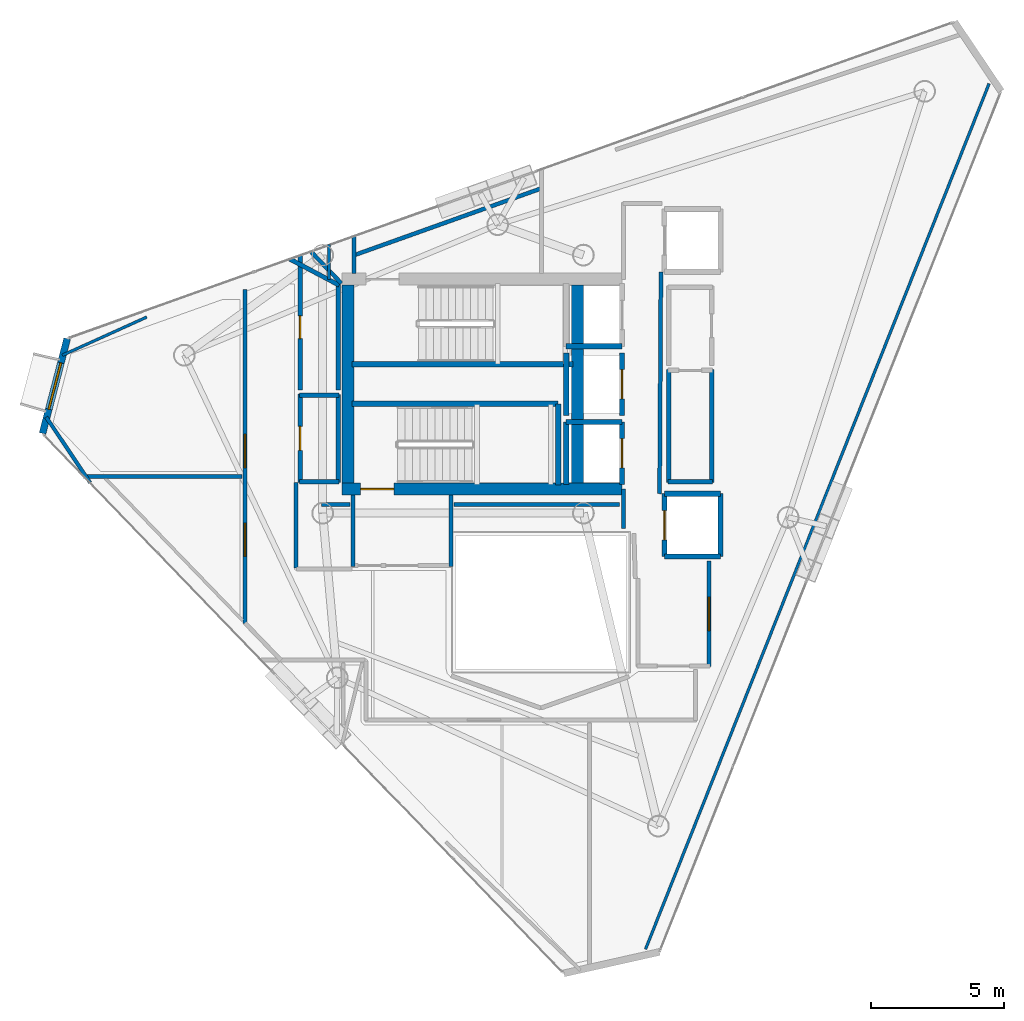
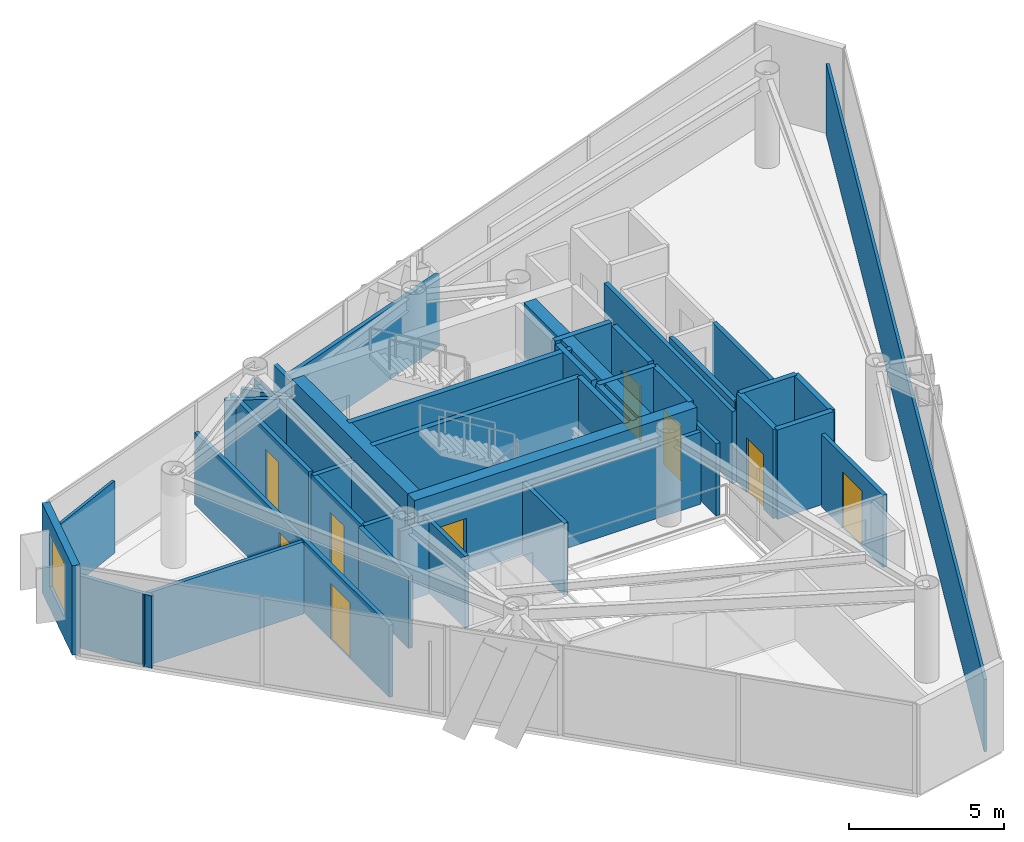
# One storey, part 16 of 18: 44 walls, 9 doors, 1 window, 10 openings.
"""IFC4 building model written with IfcOpenShell, lengths in metres."""

from ifc_helpers import new_model, si_unit, direction, frame, frame_2d, origin, place, context, subcontext, project, spatial, rectangle, extrude, material, layer, layer_set, type_object, element, fill, save


model = new_model("IFC4")

# Units and contexts
model_context = context("Model", 3, precision=1e-05, world=origin(), true_north=direction((0.0, 1.0)))
body_context = subcontext(model_context, "Body", "Model", "MODEL_VIEW")
ifc_project = project(units=[si_unit("LENGTHUNIT", "METRE"), si_unit("AREAUNIT", "SQUARE_METRE"), si_unit("VOLUMEUNIT", "CUBIC_METRE"), si_unit("PLANEANGLEUNIT", "RADIAN"), si_unit("MASSUNIT", "GRAM", prefix="KILO")], contexts=[model_context])

# Site, building, storey
site_placement = place(None, origin())
site = spatial("IfcSite", under=ifc_project, at=site_placement, CompositionType="ELEMENT")
building_placement = place(site_placement, origin())
building = spatial("IfcBuilding", under=site, at=building_placement, Name="Qianvela Tower", CompositionType="ELEMENT")
storey_placement = place(building_placement, frame((0.0, 0.0, 337.0)))
storey = spatial("IfcBuildingStorey", under=building, at=storey_placement, Name="L87", CompositionType="ELEMENT", Elevation=337.0)

# Wall, opening, window
ifc_material_1 = material(Name="Terracotta Cladding on Concrete C40", Category="masonry")
ifc_layer_1 = layer(ifc_material_1, 0.260009765625)
ifc_layer_set_1 = layer_set([ifc_layer_1], Name="Terracotta Cladding on Concrete C40")
wall_type_1 = type_object("IfcWallType", Name="TERRACOTTA-WALL-260", PredefinedType="SOLIDWALL", material=ifc_layer_set_1)
wall_1_placement = place(storey_placement, frame((18.997314453125, 30.40869140625, 0.0), z_axis=(0.0, 0.0, 1.0), x_axis=(-0.252262578272, -0.967658819835, 0.0)))
wall_1 = element("IfcWall", 1, at=wall_1_placement, inside=storey, type_object=wall_type_1, Name="L87 Terracotta Chamfer Facet Wall 3", PredefinedType="SOLIDWALL", context=body_context, shape_type="SweptSolid", body=[
    extrude(rectangle(XDim=3.6806640625, YDim=0.260009765625, at=frame_2d((1.84033203125, 0.0))), origin(), (0.0, 0.0, 1.0), 3.52001953125),
])
opening_1_placement = place(wall_1_placement, frame((0.940185546875, 0.0, 0.85009765625)))
opening_1 = element("IfcOpeningElement", 2, at=opening_1_placement, cuts=wall_1, Name="Opening W-01", PredefinedType="OPENING", context=body_context, shape_type="SweptSolid", body=[
    extrude(rectangle(XDim=1.800048828125, YDim=2.10009765625, at=frame_2d((0.89990234375, 1.050048828125))), frame((0.0, 0.139892578125, 0.0), z_axis=(0.0, -1.0, 0.0), x_axis=(1.0, 0.0, 0.0)), (0.0, 0.0, 1.0), 0.280029296875),
])
ifc_material_2 = material(Name="Thermally Broken Aluminium and Low-E Glass", Category="aluminium")
window_type = type_object("IfcWindowType", Name="WIN-TC-1800x2100", PartitioningType="DOUBLE_PANEL_VERTICAL", PredefinedType="WINDOW", material=ifc_material_2)
window_placement = place(opening_1_placement, origin())
window = element("IfcWindow", 3, at=window_placement, inside=storey, type_object=window_type, Name="L87 Chamfer Facet Window 3.1", OverallHeight=2.10009765625, OverallWidth=1.800048828125, PartitioningType="SINGLE_PANEL", PredefinedType="WINDOW", context=body_context, shape_type="SweptSolid", body=[
    extrude(rectangle(XDim=1.800048828125, YDim=2.10009765625, at=frame_2d((0.89990234375, 1.050048828125))), frame((0.0, 0.030029296875, 0.0), z_axis=(0.0, -1.0, 0.0), x_axis=(1.0, 0.0, 0.0)), (0.0, 0.0, 1.0), 0.06005859375),
])
fill(opening_1, window)

# Wall, opening, door
ifc_material_3 = material(Name="Concrete C50", Category="concrete")
ifc_layer_2 = layer(ifc_material_3, 0.449951171875)
ifc_layer_set_2 = layer_set([ifc_layer_2], Name="Concrete C50")
wall_type_2 = type_object("IfcWallType", Name="WT-CORE-450", PredefinedType="SHEAR", material=ifc_layer_set_2)
wall_2_placement = place(storey_placement, frame((29.330078125, 24.7548828125, 0.0), z_axis=(0.0, 0.0, 1.0), x_axis=(1.0, 0.0, 0.0)))
wall_2 = element("IfcWall", 4, at=wall_2_placement, inside=storey, type_object=wall_type_2, Name="L87 South Core Shear Wall", PredefinedType="SHEAR", context=body_context, shape_type="SweptSolid", body=[
    extrude(rectangle(XDim=10.52001953125, YDim=0.449951171875, at=frame_2d((5.260009765625, 0.0))), origin(), (0.0, 0.0, 1.0), 3.52001953125),
])
opening_2_placement = place(wall_2_placement, frame((0.695068359375, 0.0, 0.0)))
opening_2 = element("IfcOpeningElement", 5, at=opening_2_placement, cuts=wall_2, Name="Opening D-ST1", PredefinedType="OPENING", context=body_context, shape_type="SweptSolid", body=[
    extrude(rectangle(XDim=1.25, YDim=2.14990234375, at=frame_2d((0.625, 1.074951171875))), frame((0.0, 0.23486328125, 0.0), z_axis=(0.0, -1.0, 0.0), x_axis=(1.0, 0.0, 0.0)), (0.0, 0.0, 1.0), 0.469970703125),
])
ifc_material_4 = material(Name="Galvanised Fire Steel Q355B", Category="steel")
door_type_1 = type_object("IfcDoorType", Name="DT-STAIR-FD90", OperationType="NOTDEFINED", PredefinedType="DOOR", material=ifc_material_4)
door_1_placement = place(opening_2_placement, origin())
door_1 = element("IfcDoor", 6, at=door_1_placement, inside=storey, type_object=door_type_1, Name="L87 Stair ST-2 Exit Door", OperationType="SINGLE_SWING_LEFT", OverallHeight=2.14990234375, OverallWidth=1.25, PredefinedType="DOOR", context=body_context, shape_type="SweptSolid", body=[
    extrude(rectangle(XDim=1.25, YDim=2.14990234375, at=frame_2d((0.625, 1.074951171875))), frame((0.0, 0.02490234375, 0.0), z_axis=(0.0, -1.0, 0.0), x_axis=(1.0, 0.0, 0.0)), (0.0, 0.0, 1.0), 0.050048828125),
])
fill(opening_2, door_1)

# Walls
for number, where, z_axis, x_axis, name in (
    (7, (29.554931640625, 24.97998046875, 0.0), (0.0, 0.0, 1.0), (0.0, 1.0, 0.0), "L87 West Core Shear Wall"),
    (8, (38.179931640625, 24.97998046875, 0.0), (0.0, 0.0, 1.0), (0.0, 1.0, 0.0), "L87 East Spine Core Shear Wall"),
):
    element("IfcWall", number, at=place(storey_placement, frame(where, z_axis=z_axis, x_axis=x_axis)), inside=storey, type_object=wall_type_2, Name=name, PredefinedType="SHEAR", context=body_context, shape_type="SweptSolid", body=[
        extrude(rectangle(XDim=7.43994140625, YDim=0.449951171875, at=frame_2d((3.719970703125, 0.0))), origin(), (0.0, 0.0, 1.0), 3.52001953125),
    ])
ifc_material_5 = material(Name="Fire-Rated Acoustic Gypsum Board")
ifc_layer_3 = layer(ifc_material_5, 0.14990234375)
ifc_layer_set_3 = layer_set([ifc_layer_3], Name="Fire-Rated Acoustic Gypsum Board")
wall_type_3 = type_object("IfcWallType", Name="WT-CORR-150", PredefinedType="PARTITIONING", material=ifc_layer_set_3)
wall_3_placement = place(storey_placement, frame((29.760498046875, 33.538818359375, 0.0), z_axis=(0.0, 0.0, 1.0), x_axis=(0.941783667596, 0.336219457274, 0.0)))
element("IfcWall", 9, at=wall_3_placement, inside=storey, type_object=wall_type_3, Name="L87 Partition 1", PredefinedType="PARTITIONING", context=body_context, shape_type="SweptSolid", body=[
    extrude(rectangle(XDim=7.538818359375, YDim=0.14990234375, at=frame_2d((3.76953125, 0.0))), origin(), (0.0, 0.0, 1.0), 2.840087890625),
])
wall_4_placement = place(storey_placement, frame((29.781005859375, 32.85791015625, 0.0), z_axis=(0.0, 0.0, 1.0), x_axis=(0.0, 1.0, 0.0)))
element("IfcWall", 10, at=wall_4_placement, inside=storey, type_object=wall_type_3, Name="L87 Partition 4", PredefinedType="PARTITIONING", context=body_context, shape_type="SweptSolid", body=[
    extrude(rectangle(XDim=1.420654296875, YDim=0.14990234375, at=frame_2d((0.71044921875, 0.0))), origin(), (0.0, 0.0, 1.0), 2.840087890625),
])
for number, where, z_axis, x_axis, name in (
    (11, (29.73095703125, 21.85009765625, 0.0), (0.0, 0.0, 1.0), (0.0, 1.0, 0.0), "L87 Partition 6"),
    (12, (33.4189453125, 24.5419921875, 0.0), (0.0, 0.0, 1.0), (0.0, -1.0, 0.0), "L87 Partition 8"),
):
    element("IfcWall", number, at=place(storey_placement, frame(where, z_axis=z_axis, x_axis=x_axis)), inside=storey, type_object=wall_type_3, Name=name, PredefinedType="PARTITIONING", context=body_context, shape_type="SweptSolid", body=[
        extrude(rectangle(XDim=2.69189453125, YDim=0.14990234375, at=frame_2d((1.345947265625, 0.0))), origin(), (0.0, 0.0, 1.0), 2.840087890625),
    ])
wall_5_placement = place(storey_placement, frame((39.910888671875, 23.280029296875, 0.0), z_axis=(0.0, 0.0, 1.0), x_axis=(0.0, 1.0, 0.0)))
element("IfcWall", 13, at=wall_5_placement, inside=storey, type_object=wall_type_3, Name="L87 Partition 10", PredefinedType="PARTITIONING", context=body_context, shape_type="SweptSolid", body=[
    extrude(rectangle(XDim=1.47998046875, YDim=0.14990234375, at=frame_2d((0.739990234375, 0.0))), origin(), (0.0, 0.0, 1.0), 2.840087890625),
])
wall_6_placement = place(storey_placement, frame((41.3134765625, 32.919921875, 0.0), z_axis=(0.0, 0.0, 1.0), x_axis=(-0.005942518022, -0.999982343084, 0.0)))
element("IfcWall", 14, at=wall_6_placement, inside=storey, type_object=wall_type_3, Name="L87 Partition 14 seg 2", PredefinedType="PARTITIONING", context=body_context, shape_type="SweptSolid", body=[
    extrude(rectangle(XDim=8.340087890625, YDim=0.14990234375, at=frame_2d((4.169921875, 0.0))), origin(), (0.0, 0.0, 1.0), 2.840087890625),
])

# Wall, opening, door
wall_7_placement = place(storey_placement, frame((43.118896484375, 22.050048828125, 0.0), z_axis=(0.0, 0.0, 1.0), x_axis=(0.0, -1.0, 0.0)))
wall_7 = element("IfcWall", 15, at=wall_7_placement, inside=storey, type_object=wall_type_3, Name="L87 Partition 16", PredefinedType="PARTITIONING", context=body_context, shape_type="SweptSolid", body=[
    extrude(rectangle(XDim=3.969970703125, YDim=0.14990234375, at=frame_2d((1.98486328125, 0.0))), origin(), (0.0, 0.0, 1.0), 2.840087890625),
])
opening_3_placement = place(wall_7_placement, frame((1.360107421875, 0.0, 0.0)))
opening_3 = element("IfcOpeningElement", 16, at=opening_3_placement, cuts=wall_7, Name="Opening D-LG1", PredefinedType="OPENING", context=body_context, shape_type="SweptSolid", body=[
    extrude(rectangle(XDim=1.25, YDim=2.199951171875, at=frame_2d((0.625, 1.10009765625))), frame((0.0, 0.0849609375, 0.0), z_axis=(0.0, -1.0, 0.0), x_axis=(1.0, 0.0, 0.0)), (0.0, 0.0, 1.0), 0.169921875),
])
ifc_material_6 = material(Name="Anodised Aluminium Acoustic Glass Door", Category="aluminium")
door_type_2 = type_object("IfcDoorType", Name="DT-LOUNGE-1250", OperationType="NOTDEFINED", PredefinedType="DOOR", material=ifc_material_6)
door_2_placement = place(opening_3_placement, origin())
door_2 = element("IfcDoor", 17, at=door_2_placement, inside=storey, type_object=door_type_2, Name="L87 Door Student Fitness Gym L87-03 to L87 Lift Lobby", OperationType="SINGLE_SWING_RIGHT", OverallHeight=2.199951171875, OverallWidth=1.25, PredefinedType="DOOR", context=body_context, shape_type="SweptSolid", body=[
    extrude(rectangle(XDim=1.25, YDim=2.199951171875, at=frame_2d((0.625, 1.10009765625))), frame((0.0, 0.02490234375, 0.0), z_axis=(0.0, -1.0, 0.0), x_axis=(1.0, 0.0, 0.0)), (0.0, 0.0, 1.0), 0.050048828125),
])
fill(opening_3, door_2)

# Walls
wall_8_placement = place(storey_placement, frame((29.6201171875, 24.180908203125, 0.0), z_axis=(0.0, 0.0, 1.0), x_axis=(-1.0, 0.0, 0.0)))
element("IfcWall", 18, at=wall_8_placement, inside=storey, type_object=wall_type_3, Name="L87 Partition 40", PredefinedType="PARTITIONING", context=body_context, shape_type="SweptSolid", body=[
    extrude(rectangle(XDim=1.070068359375, YDim=0.14990234375, at=frame_2d((0.53515625, 0.0))), origin(), (0.0, 0.0, 1.0), 2.840087890625),
])
wall_9_placement = place(storey_placement, frame((29.303466796875, 32.488525390625, 0.0), z_axis=(0.0, 0.0, 1.0), x_axis=(-0.691860390613, 0.722031301192, 0.0)))
element("IfcWall", 19, at=wall_9_placement, inside=storey, type_object=wall_type_3, Name="L87 Partition 44", PredefinedType="PARTITIONING", context=body_context, shape_type="SweptSolid", body=[
    extrude(rectangle(XDim=1.650634765625, YDim=0.14990234375, at=frame_2d((0.8251953125, 0.0))), origin(), (0.0, 0.0, 1.0), 2.840087890625),
])
wall_10_placement = place(storey_placement, frame((39.75, 24.180908203125, 0.0), z_axis=(0.0, 0.0, 1.0), x_axis=(-1.0, 0.0, 0.0)))
element("IfcWall", 20, at=wall_10_placement, inside=storey, type_object=wall_type_3, Name="L87 Partition 48", PredefinedType="PARTITIONING", context=body_context, shape_type="SweptSolid", body=[
    extrude(rectangle(XDim=6.219970703125, YDim=0.14990234375, at=frame_2d((3.10986328125, 0.0))), origin(), (0.0, 0.0, 1.0), 2.840087890625),
])

# Wall, openings, doors
wall_11_placement = place(storey_placement, frame((25.680908203125, 19.708984375, 0.0), z_axis=(0.0, 0.0, 1.0), x_axis=(0.0, 1.0, 0.0)))
wall_11 = element("IfcWall", 21, at=wall_11_placement, inside=storey, type_object=wall_type_3, Name="L87 Partition 58", PredefinedType="PARTITIONING", context=body_context, shape_type="SweptSolid", body=[
    extrude(rectangle(XDim=12.549072265625, YDim=0.14990234375, at=frame_2d((6.2744140625, 0.0))), origin(), (0.0, 0.0, 1.0), 2.840087890625),
])
opening_4_placement = place(wall_11_placement, frame((2.52001953125, 0.0, 0.0)))
opening_4 = element("IfcOpeningElement", 22, at=opening_4_placement, cuts=wall_11, Name="Opening D-LG1", PredefinedType="OPENING", context=body_context, shape_type="SweptSolid", body=[
    extrude(rectangle(XDim=1.25, YDim=2.199951171875, at=frame_2d((0.625, 1.10009765625))), frame((0.0, 0.0849609375, 0.0), z_axis=(0.0, -1.0, 0.0), x_axis=(1.0, 0.0, 0.0)), (0.0, 0.0, 1.0), 0.169921875),
])
opening_5_placement = place(wall_11_placement, frame((5.85546875, 0.0, 0.0)))
opening_5 = element("IfcOpeningElement", 23, at=opening_5_placement, cuts=wall_11, Name="Opening D-LG1", PredefinedType="OPENING", context=body_context, shape_type="SweptSolid", body=[
    extrude(rectangle(XDim=1.25, YDim=2.199951171875, at=frame_2d((0.625, 1.10009765625))), frame((0.0, 0.0849609375, 0.0), z_axis=(0.0, -1.0, 0.0), x_axis=(1.0, 0.0, 0.0)), (0.0, 0.0, 1.0), 0.169921875),
])
door_3_placement = place(opening_4_placement, origin())
door_3 = element("IfcDoor", 24, at=door_3_placement, inside=storey, type_object=door_type_2, Name="L87 Door Project Huddle Conference L87-01 to L87 Floor Corridor", OperationType="SINGLE_SWING_RIGHT", OverallHeight=2.199951171875, OverallWidth=1.25, PredefinedType="DOOR", context=body_context, shape_type="SweptSolid", body=[
    extrude(rectangle(XDim=1.25, YDim=2.199951171875, at=frame_2d((0.625, 1.10009765625))), frame((0.0, 0.02490234375, 0.0), z_axis=(0.0, -1.0, 0.0), x_axis=(1.0, 0.0, 0.0)), (0.0, 0.0, 1.0), 0.050048828125),
])
fill(opening_4, door_3)
door_4_placement = place(opening_5_placement, origin())
door_4 = element("IfcDoor", 25, at=door_4_placement, inside=storey, type_object=door_type_2, Name="L87 Door Maker Craft Workshop L87-04 to L87 Floor Corridor", OperationType="SINGLE_SWING_LEFT", OverallHeight=2.199951171875, OverallWidth=1.25, PredefinedType="DOOR", context=body_context, shape_type="SweptSolid", body=[
    extrude(rectangle(XDim=1.25, YDim=2.199951171875, at=frame_2d((0.625, 1.10009765625))), frame((0.0, 0.02490234375, 0.0), z_axis=(0.0, -1.0, 0.0), x_axis=(1.0, 0.0, 0.0)), (0.0, 0.0, 1.0), 0.050048828125),
])
fill(opening_5, door_4)

# Walls
wall_12_placement = place(storey_placement, frame((27.589111328125, 25.0, 0.0), z_axis=(0.0, 0.0, 1.0), x_axis=(0.0, -1.0, 0.0)))
element("IfcWall", 26, at=wall_12_placement, inside=storey, type_object=wall_type_3, Name="L87 Partition 61 seg 2", PredefinedType="PARTITIONING", context=body_context, shape_type="SweptSolid", body=[
    extrude(rectangle(XDim=3.219970703125, YDim=0.14990234375, at=frame_2d((1.60986328125, 0.0))), origin(), (0.0, 0.0, 1.0), 2.840087890625),
])
ifc_material_7 = material(Name="Lightweight Gypsum Room Partition")
ifc_layer_4 = layer(ifc_material_7, 0.10498046875)
ifc_layer_set_4 = layer_set([ifc_layer_4], Name="Lightweight Gypsum Room Partition")
wall_type_4 = type_object("IfcWallType", Name="WT-PART-105", PredefinedType="PARTITIONING", material=ifc_layer_set_4)
wall_13_placement = place(storey_placement, frame((28.8330078125, 32.6298828125, 0.0), z_axis=(0.0, 0.0, 1.0), x_axis=(0.0, 1.0, 0.0)))
element("IfcWall", 27, at=wall_13_placement, inside=storey, type_object=wall_type_4, Name="L87 Partition 79", PredefinedType="PARTITIONING", context=body_context, shape_type="SweptSolid", body=[
    extrude(rectangle(XDim=1.310302734375, YDim=0.10498046875, at=frame_2d((0.6552734375, 0.0))), origin(), (0.0, 0.0, 1.0), 2.840087890625),
])
wall_14_placement = place(storey_placement, frame((53.6484375, 39.99462890625, 0.0), z_axis=(0.0, 0.0, 1.0), x_axis=(-0.368887988712, -0.929473857505, 0.0)))
element("IfcWall", 28, at=wall_14_placement, inside=storey, type_object=wall_type_4, Name="L87 Partition 82", PredefinedType="PARTITIONING", context=body_context, shape_type="SweptSolid", body=[
    extrude(rectangle(XDim=35.002685546875, YDim=0.10498046875, at=frame_2d((17.50146484375, 0.0))), origin(), (0.0, 0.0, 1.0), 2.840087890625),
])
wall_15_placement = place(storey_placement, frame((18.818115234375, 29.7861328125, 0.0), z_axis=(0.0, 0.0, 1.0), x_axis=(0.910930778055, 0.412559229192, 0.0)))
element("IfcWall", 29, at=wall_15_placement, inside=storey, type_object=wall_type_4, Name="L87 Partition 94 seg 1", PredefinedType="PARTITIONING", context=body_context, shape_type="SweptSolid", body=[
    extrude(rectangle(XDim=3.4765625, YDim=0.10498046875, at=frame_2d((1.73828125, 0.0))), origin(), (0.0, 0.0, 1.0), 2.840087890625),
])
ifc_material_8 = material(Name="Sanitary Service Chase Partition")
ifc_layer_5 = layer(ifc_material_8, 0.1650390625)
ifc_layer_set_5 = layer_set([ifc_layer_5], Name="Sanitary Service Chase Partition")
wall_type_5 = type_object("IfcWallType", Name="WT-PLUMB-165", PredefinedType="PLUMBINGWALL", material=ifc_layer_set_5)
wall_16_placement = place(storey_placement, frame((43.25, 25.031005859375, 0.0), z_axis=(0.0, 0.0, 1.0), x_axis=(-1.0, 0.0, 0.0)))
element("IfcWall", 30, at=wall_16_placement, inside=storey, type_object=wall_type_5, Name="L87 Partition 19", PredefinedType="PLUMBINGWALL", context=body_context, shape_type="SweptSolid", body=[
    extrude(rectangle(XDim=1.669921875, YDim=0.1650390625, at=frame_2d((0.8349609375, 0.0))), origin(), (0.0, 0.0, 1.0), 2.840087890625),
])
for number, where, z_axis, x_axis, name in (
    (31, (41.611083984375, 25.0, 0.0), (0.0, 0.0, 1.0), (0.0, 1.0, 0.0), "L87 Partition 20"),
    (32, (43.218994140625, 29.25, 0.0), (0.0, 0.0, 1.0), (0.0, -1.0, 0.0), "L87 Partition 22"),
):
    element("IfcWall", number, at=place(storey_placement, frame(where, z_axis=z_axis, x_axis=x_axis)), inside=storey, type_object=wall_type_5, Name=name, PredefinedType="PLUMBINGWALL", context=body_context, shape_type="SweptSolid", body=[
        extrude(rectangle(XDim=4.25, YDim=0.1650390625, at=frame_2d((2.125, 0.0))), origin(), (0.0, 0.0, 1.0), 2.840087890625),
    ])

# Wall, opening, door
wall_17_placement = place(storey_placement, frame((27.7509765625, 25.0, 0.0), z_axis=(0.0, 0.0, 1.0), x_axis=(0.0, 1.0, 0.0)))
wall_17 = element("IfcWall", 33, at=wall_17_placement, inside=storey, type_object=wall_type_5, Name="L87 Partition 27", PredefinedType="PLUMBINGWALL", context=body_context, shape_type="SweptSolid", body=[
    extrude(rectangle(XDim=3.320068359375, YDim=0.1650390625, at=frame_2d((1.66015625, 0.0))), origin(), (0.0, 0.0, 1.0), 2.840087890625),
])
opening_6_placement = place(wall_17_placement, frame((1.2099609375, 0.0, 0.0)))
opening_6 = element("IfcOpeningElement", 34, at=opening_6_placement, cuts=wall_17, Name="Opening D-KT1", PredefinedType="OPENING", context=body_context, shape_type="SweptSolid", body=[
    extrude(rectangle(XDim=0.89990234375, YDim=2.10009765625, at=frame_2d((0.449951171875, 1.050048828125))), frame((0.0, 0.092529296875, 0.0), z_axis=(0.0, -1.0, 0.0), x_axis=(1.0, 0.0, 0.0)), (0.0, 0.0, 1.0), 0.18505859375),
])
ifc_material_9 = material(Name="Glazed Timber Kitchen Door", Category="wood")
door_type_3 = type_object("IfcDoorType", Name="DT-KITCH-900", OperationType="NOTDEFINED", PredefinedType="DOOR", material=ifc_material_9)
door_5_placement = place(opening_6_placement, origin())
door_5 = element("IfcDoor", 35, at=door_5_placement, inside=storey, type_object=door_type_3, Name="L87 Door L87 Core Tea Pantry West to L87 Floor Corridor", OperationType="SINGLE_SWING_LEFT", OverallHeight=2.10009765625, OverallWidth=0.89990234375, PredefinedType="DOOR", context=body_context, shape_type="SweptSolid", body=[
    extrude(rectangle(XDim=0.89990234375, YDim=2.10009765625, at=frame_2d((0.449951171875, 1.050048828125))), frame((0.0, 0.02490234375, 0.0), z_axis=(0.0, -1.0, 0.0), x_axis=(1.0, 0.0, 0.0)), (0.0, 0.0, 1.0), 0.050048828125),
])
fill(opening_6, door_5)

# Walls
wall_18_placement = place(storey_placement, frame((27.719970703125, 28.2890625, 0.0), z_axis=(0.0, 0.0, 1.0), x_axis=(1.0, 0.0, 0.0)))
element("IfcWall", 36, at=wall_18_placement, inside=storey, type_object=wall_type_5, Name="L87 Partition 28", PredefinedType="PLUMBINGWALL", context=body_context, shape_type="SweptSolid", body=[
    extrude(rectangle(XDim=1.5, YDim=0.1650390625, at=frame_2d((0.75, 0.0))), origin(), (0.0, 0.0, 1.0), 2.840087890625),
])
wall_19_placement = place(storey_placement, frame((29.18896484375, 28.320068359375, 0.0), z_axis=(0.0, 0.0, 1.0), x_axis=(0.0, -1.0, 0.0)))
element("IfcWall", 37, at=wall_19_placement, inside=storey, type_object=wall_type_5, Name="L87 Partition 29", PredefinedType="PLUMBINGWALL", context=body_context, shape_type="SweptSolid", body=[
    extrude(rectangle(XDim=3.320068359375, YDim=0.1650390625, at=frame_2d((1.66015625, 0.0))), origin(), (0.0, 0.0, 1.0), 2.840087890625),
])
wall_20_placement = place(storey_placement, frame((29.219970703125, 25.031005859375, 0.0), z_axis=(0.0, 0.0, 1.0), x_axis=(-1.0, 0.0, 0.0)))
element("IfcWall", 38, at=wall_20_placement, inside=storey, type_object=wall_type_5, Name="L87 Partition 30", PredefinedType="PLUMBINGWALL", context=body_context, shape_type="SweptSolid", body=[
    extrude(rectangle(XDim=1.5, YDim=0.1650390625, at=frame_2d((0.75, 0.0))), origin(), (0.0, 0.0, 1.0), 2.840087890625),
])

# Wall, opening, door
wall_21_placement = place(storey_placement, frame((27.7509765625, 28.47998046875, 0.0), z_axis=(0.0, 0.0, 1.0), x_axis=(0.0, 1.0, 0.0)))
wall_21 = element("IfcWall", 39, at=wall_21_placement, inside=storey, type_object=wall_type_5, Name="L87 Partition 31", PredefinedType="PLUMBINGWALL", context=body_context, shape_type="SweptSolid", body=[
    extrude(rectangle(XDim=5.07373046875, YDim=0.1650390625, at=frame_2d((2.536865234375, 0.0))), origin(), (0.0, 0.0, 1.0), 2.840087890625),
])
opening_7_placement = place(wall_21_placement, frame((1.929931640625, 0.0, 0.0)))
opening_7 = element("IfcOpeningElement", 40, at=opening_7_placement, cuts=wall_21, Name="Opening D-WC1", PredefinedType="OPENING", context=body_context, shape_type="SweptSolid", body=[
    extrude(rectangle(XDim=0.860107421875, YDim=2.050048828125, at=frame_2d((0.43017578125, 1.02490234375))), frame((0.0, 0.092529296875, 0.0), z_axis=(0.0, -1.0, 0.0), x_axis=(1.0, 0.0, 0.0)), (0.0, 0.0, 1.0), 0.18505859375),
])
ifc_material_10 = material(Name="Moisture-Sealed Acoustic Timber Door", Category="wood")
door_type_4 = type_object("IfcDoorType", Name="DT-WC-860", OperationType="NOTDEFINED", PredefinedType="DOOR", material=ifc_material_10)
door_6_placement = place(opening_7_placement, origin())
door_6 = element("IfcDoor", 41, at=door_6_placement, inside=storey, type_object=door_type_4, Name="L87 Door L87 Accessible WC to L87 Floor Corridor", OperationType="SINGLE_SWING_RIGHT", OverallHeight=2.050048828125, OverallWidth=0.860107421875, PredefinedType="DOOR", context=body_context, shape_type="SweptSolid", body=[
    extrude(rectangle(XDim=0.860107421875, YDim=2.050048828125, at=frame_2d((0.43017578125, 1.02490234375))), frame((0.0, 0.02490234375, 0.0), z_axis=(0.0, -1.0, 0.0), x_axis=(1.0, 0.0, 0.0)), (0.0, 0.0, 1.0), 0.050048828125),
])
fill(opening_7, door_6)

# Walls
wall_22_placement = place(storey_placement, frame((27.37060546875, 33.39794921875, 0.0), z_axis=(0.0, 0.0, 1.0), x_axis=(0.883802105966, -0.467860916822, 0.0)))
element("IfcWall", 42, at=wall_22_placement, inside=storey, type_object=wall_type_5, Name="L87 Partition 32", PredefinedType="PLUMBINGWALL", context=body_context, shape_type="SweptSolid", body=[
    extrude(rectangle(XDim=2.092529296875, YDim=0.1650390625, at=frame_2d((1.04638671875, 0.0))), origin(), (0.0, 0.0, 1.0), 2.840087890625),
])
wall_23_placement = place(storey_placement, frame((29.18896484375, 32.449951171875, 0.0), z_axis=(0.0, 0.0, 1.0), x_axis=(0.0, -1.0, 0.0)))
element("IfcWall", 43, at=wall_23_placement, inside=storey, type_object=wall_type_5, Name="L87 Partition 33", PredefinedType="PLUMBINGWALL", context=body_context, shape_type="SweptSolid", body=[
    extrude(rectangle(XDim=3.969970703125, YDim=0.1650390625, at=frame_2d((1.98486328125, 0.0))), origin(), (0.0, 0.0, 1.0), 2.840087890625),
])
ifc_material_11 = material(Name="Acoustic Double Gypsum Stud Partition")
ifc_layer_6 = layer(ifc_material_11, 0.139892578125)
ifc_layer_set_6 = layer_set([ifc_layer_6], Name="Acoustic Double Gypsum Stud Partition")
wall_type_6 = type_object("IfcWallType", Name="WT-ROOM-140", PredefinedType="PARTITIONING", material=ifc_layer_set_6)
wall_24_placement = place(storey_placement, frame((19.61328125, 25.22705078125, 0.0), z_axis=(0.0, 0.0, 1.0), x_axis=(1.0, 0.0, 0.0)))
element("IfcWall", 44, at=wall_24_placement, inside=storey, type_object=wall_type_6, Name="L87 Partition 62", PredefinedType="PARTITIONING", context=body_context, shape_type="SweptSolid", body=[
    extrude(rectangle(XDim=5.956787109375, YDim=0.139892578125, at=frame_2d((2.978515625, 0.0))), origin(), (0.0, 0.0, 1.0), 2.840087890625),
])
wall_25_placement = place(storey_placement, frame((19.854248046875, 24.998046875, 0.0), z_axis=(0.0, 0.0, 1.0), x_axis=(-0.555633001546, 0.831427668287, 0.0)))
element("IfcWall", 45, at=wall_25_placement, inside=storey, type_object=wall_type_6, Name="L87 Partition 92", PredefinedType="PARTITIONING", context=body_context, shape_type="SweptSolid", body=[
    extrude(rectangle(XDim=2.95849609375, YDim=0.139892578125, at=frame_2d((1.479248046875, 0.0))), origin(), (0.0, 0.0, 1.0), 2.840087890625),
])
ifc_material_12 = material(Name="Concrete C50", Category="concrete")
ifc_layer_7 = layer(ifc_material_12, 0.199951171875)
ifc_layer_set_7 = layer_set([ifc_layer_7], Name="Concrete C50")
wall_type_7 = type_object("IfcWallType", Name="WT-SHAFT-200", PredefinedType="SOLIDWALL", material=ifc_layer_set_7)
wall_26_placement = place(storey_placement, frame((29.699951171875, 29.449951171875, 0.0), z_axis=(0.0, 0.0, 1.0), x_axis=(1.0, 0.0, 0.0)))
element("IfcWall", 46, at=wall_26_placement, inside=storey, type_object=wall_type_7, Name="L87 Stair ST-1 South Wall", PredefinedType="SOLIDWALL", context=body_context, shape_type="SweptSolid", body=[
    extrude(rectangle(XDim=8.300048828125, YDim=0.199951171875, at=frame_2d((4.14990234375, 0.0))), origin(), (0.0, 0.0, 1.0), 3.52001953125),
])
wall_27_placement = place(storey_placement, frame((29.699951171875, 27.9599609375, 0.0), z_axis=(0.0, 0.0, 1.0), x_axis=(1.0, 0.0, 0.0)))
element("IfcWall", 47, at=wall_27_placement, inside=storey, type_object=wall_type_7, Name="L87 Stair ST-2 North Wall", PredefinedType="SOLIDWALL", context=body_context, shape_type="SweptSolid", body=[
    extrude(rectangle(XDim=7.75, YDim=0.199951171875, at=frame_2d((3.875, 0.0))), origin(), (0.0, 0.0, 1.0), 3.52001953125),
])
wall_28_placement = place(storey_placement, frame((37.449951171875, 24.89990234375, 0.0), z_axis=(0.0, 0.0, 1.0), x_axis=(0.0, 1.0, 0.0)))
element("IfcWall", 48, at=wall_28_placement, inside=storey, type_object=wall_type_7, Name="L87 Stair ST-2 East Wall", PredefinedType="SOLIDWALL", context=body_context, shape_type="SweptSolid", body=[
    extrude(rectangle(XDim=3.06005859375, YDim=0.199951171875, at=frame_2d((1.530029296875, 0.0))), origin(), (0.0, 0.0, 1.0), 3.52001953125),
])
wall_29_placement = place(storey_placement, frame((37.75, 30.1201171875, 0.0), z_axis=(0.0, 0.0, 1.0), x_axis=(1.0, 0.0, 0.0)))
element("IfcWall", 49, at=wall_29_placement, inside=storey, type_object=wall_type_7, Name="L87 Lift FL-1 S Shaft Wall", PredefinedType="SOLIDWALL", context=body_context, shape_type="SweptSolid", body=[
    extrude(rectangle(XDim=2.10009765625, YDim=0.199951171875, at=frame_2d((1.050048828125, 0.0))), origin(), (0.0, 0.0, 1.0), 3.52001953125),
])

# Wall, opening, door
wall_30_placement = place(storey_placement, frame((39.85009765625, 24.919921875, 0.0), z_axis=(0.0, 0.0, 1.0), x_axis=(0.0, 1.0, 0.0)))
wall_30 = element("IfcWall", 50, at=wall_30_placement, inside=storey, type_object=wall_type_7, Name="L87 Lift FL-2 E Shaft Wall", PredefinedType="SOLIDWALL", context=body_context, shape_type="SweptSolid", body=[
    extrude(rectangle(XDim=2.360107421875, YDim=0.199951171875, at=frame_2d((1.18017578125, 0.0))), origin(), (0.0, 0.0, 1.0), 3.52001953125),
])
opening_8_placement = place(wall_30_placement, frame((0.6298828125, 0.0, 0.0)))
opening_8 = element("IfcOpeningElement", 51, at=opening_8_placement, cuts=wall_30, Name="Opening LD-01", PredefinedType="OPENING", context=body_context, shape_type="SweptSolid", body=[
    extrude(rectangle(XDim=1.10009765625, YDim=2.14990234375, at=frame_2d((0.550048828125, 1.074951171875))), frame((0.0, 0.10986328125, 0.0), z_axis=(0.0, -1.0, 0.0), x_axis=(1.0, 0.0, 0.0)), (0.0, 0.0, 1.0), 0.219970703125),
])
ifc_material_13 = material(Name="Brushed Stainless Steel Lift Landing Door", Category="steel")
door_type_5 = type_object("IfcDoorType", Name="DT-LIFT-SLIDE-1100", OperationType="SLIDING_TO_LEFT", PredefinedType="DOOR", material=ifc_material_13)
door_7_placement = place(opening_8_placement, origin())
door_7 = element("IfcDoor", 52, at=door_7_placement, inside=storey, type_object=door_type_5, Name="L87 Lift FL-2 Sliding Landing Door", OperationType="SLIDING_TO_LEFT", OverallHeight=2.14990234375, OverallWidth=1.10009765625, PredefinedType="DOOR", context=body_context, shape_type="SweptSolid", body=[
    extrude(rectangle(XDim=1.10009765625, YDim=2.14990234375, at=frame_2d((0.550048828125, 1.074951171875))), frame((0.0, 0.02490234375, 0.0), z_axis=(0.0, -1.0, 0.0), x_axis=(1.0, 0.0, 0.0)), (0.0, 0.0, 1.0), 0.050048828125),
])
fill(opening_8, door_7)

# Walls
wall_31_placement = place(storey_placement, frame((37.75, 24.919921875, 0.0), z_axis=(0.0, 0.0, 1.0), x_axis=(0.0, 1.0, 0.0)))
element("IfcWall", 53, at=wall_31_placement, inside=storey, type_object=wall_type_7, Name="L87 Lift FL-2 W Shaft Wall", PredefinedType="SOLIDWALL", context=body_context, shape_type="SweptSolid", body=[
    extrude(rectangle(XDim=2.360107421875, YDim=0.199951171875, at=frame_2d((1.18017578125, 0.0))), origin(), (0.0, 0.0, 1.0), 3.52001953125),
])
wall_32_placement = place(storey_placement, frame((37.75, 27.280029296875, 0.0), z_axis=(0.0, 0.0, 1.0), x_axis=(1.0, 0.0, 0.0)))
element("IfcWall", 54, at=wall_32_placement, inside=storey, type_object=wall_type_7, Name="L87 Lift FL-2 N Shaft Wall", PredefinedType="SOLIDWALL", context=body_context, shape_type="SweptSolid", body=[
    extrude(rectangle(XDim=2.10009765625, YDim=0.199951171875, at=frame_2d((1.050048828125, 0.0))), origin(), (0.0, 0.0, 1.0), 3.52001953125),
])

# Wall, opening, door
wall_33_placement = place(storey_placement, frame((39.85009765625, 27.52001953125, 0.0), z_axis=(0.0, 0.0, 1.0), x_axis=(0.0, 1.0, 0.0)))
wall_33 = element("IfcWall", 55, at=wall_33_placement, inside=storey, type_object=wall_type_7, Name="L87 Lift PL-H1 E Shaft Wall", PredefinedType="SOLIDWALL", context=body_context, shape_type="SweptSolid", body=[
    extrude(rectangle(XDim=2.35986328125, YDim=0.199951171875, at=frame_2d((1.179931640625, 0.0))), origin(), (0.0, 0.0, 1.0), 3.52001953125),
])
opening_9_placement = place(wall_33_placement, frame((0.6298828125, 0.0, 0.0)))
opening_9 = element("IfcOpeningElement", 56, at=opening_9_placement, cuts=wall_33, Name="Opening LD-01", PredefinedType="OPENING", context=body_context, shape_type="SweptSolid", body=[
    extrude(rectangle(XDim=1.10009765625, YDim=2.14990234375, at=frame_2d((0.550048828125, 1.074951171875))), frame((0.0, 0.10986328125, 0.0), z_axis=(0.0, -1.0, 0.0), x_axis=(1.0, 0.0, 0.0)), (0.0, 0.0, 1.0), 0.219970703125),
])
door_8_placement = place(opening_9_placement, origin())
door_8 = element("IfcDoor", 57, at=door_8_placement, inside=storey, type_object=door_type_5, Name="L87 Lift PL-H1 Sliding Landing Door", OperationType="SLIDING_TO_LEFT", OverallHeight=2.14990234375, OverallWidth=1.10009765625, PredefinedType="DOOR", context=body_context, shape_type="SweptSolid", body=[
    extrude(rectangle(XDim=1.10009765625, YDim=2.14990234375, at=frame_2d((0.550048828125, 1.074951171875))), frame((0.0, 0.02490234375, 0.0), z_axis=(0.0, -1.0, 0.0), x_axis=(1.0, 0.0, 0.0)), (0.0, 0.0, 1.0), 0.050048828125),
])
fill(opening_9, door_8)

# Walls
wall_34_placement = place(storey_placement, frame((37.75, 27.52001953125, 0.0), z_axis=(0.0, 0.0, 1.0), x_axis=(0.0, 1.0, 0.0)))
element("IfcWall", 58, at=wall_34_placement, inside=storey, type_object=wall_type_7, Name="L87 Lift PL-H1 W Shaft Wall", PredefinedType="SOLIDWALL", context=body_context, shape_type="SweptSolid", body=[
    extrude(rectangle(XDim=2.35986328125, YDim=0.199951171875, at=frame_2d((1.179931640625, 0.0))), origin(), (0.0, 0.0, 1.0), 3.52001953125),
])
wall_35_placement = place(storey_placement, frame((43.550048828125, 22.219970703125, 0.0), z_axis=(0.0, 0.0, 1.0), x_axis=(0.0, 1.0, 0.0)))
element("IfcWall", 59, at=wall_35_placement, inside=storey, type_object=wall_type_7, Name="L87 Lift PL-H2 E Shaft Wall", PredefinedType="SOLIDWALL", context=body_context, shape_type="SweptSolid", body=[
    extrude(rectangle(XDim=2.360107421875, YDim=0.199951171875, at=frame_2d((1.18017578125, 0.0))), origin(), (0.0, 0.0, 1.0), 3.52001953125),
])

# Wall, opening, door
wall_36_placement = place(storey_placement, frame((41.449951171875, 22.219970703125, 0.0), z_axis=(0.0, 0.0, 1.0), x_axis=(0.0, 1.0, 0.0)))
wall_36 = element("IfcWall", 60, at=wall_36_placement, inside=storey, type_object=wall_type_7, Name="L87 Lift PL-H2 W Shaft Wall", PredefinedType="SOLIDWALL", context=body_context, shape_type="SweptSolid", body=[
    extrude(rectangle(XDim=2.360107421875, YDim=0.199951171875, at=frame_2d((1.18017578125, 0.0))), origin(), (0.0, 0.0, 1.0), 3.52001953125),
])
opening_10_placement = place(wall_36_placement, frame((0.6298828125, 0.0, 0.0)))
opening_10 = element("IfcOpeningElement", 61, at=opening_10_placement, cuts=wall_36, Name="Opening LD-01", PredefinedType="OPENING", context=body_context, shape_type="SweptSolid", body=[
    extrude(rectangle(XDim=1.10009765625, YDim=2.14990234375, at=frame_2d((0.550048828125, 1.074951171875))), frame((0.0, 0.10986328125, 0.0), z_axis=(0.0, -1.0, 0.0), x_axis=(1.0, 0.0, 0.0)), (0.0, 0.0, 1.0), 0.219970703125),
])
door_9_placement = place(opening_10_placement, origin())
door_9 = element("IfcDoor", 62, at=door_9_placement, inside=storey, type_object=door_type_5, Name="L87 Lift PL-H2 Sliding Landing Door", OperationType="SLIDING_TO_LEFT", OverallHeight=2.14990234375, OverallWidth=1.10009765625, PredefinedType="DOOR", context=body_context, shape_type="SweptSolid", body=[
    extrude(rectangle(XDim=1.10009765625, YDim=2.14990234375, at=frame_2d((0.550048828125, 1.074951171875))), frame((0.0, 0.02490234375, 0.0), z_axis=(0.0, -1.0, 0.0), x_axis=(1.0, 0.0, 0.0)), (0.0, 0.0, 1.0), 0.050048828125),
])
fill(opening_10, door_9)

# Walls
for number, where, z_axis, x_axis, name in (
    (63, (41.449951171875, 24.580078125, 0.0), (0.0, 0.0, 1.0), (1.0, 0.0, 0.0), "L87 Lift PL-H2 N Shaft Wall"),
    (64, (41.449951171875, 22.219970703125, 0.0), (0.0, 0.0, 1.0), (1.0, 0.0, 0.0), "L87 Lift PL-H2 S Shaft Wall"),
):
    element("IfcWall", number, at=place(storey_placement, frame(where, z_axis=z_axis, x_axis=x_axis)), inside=storey, type_object=wall_type_7, Name=name, PredefinedType="SOLIDWALL", context=body_context, shape_type="SweptSolid", body=[
        extrude(rectangle(XDim=2.10009765625, YDim=0.199951171875, at=frame_2d((1.050048828125, 0.0))), origin(), (0.0, 0.0, 1.0), 3.52001953125),
    ])

save(model, "model.ifc")
